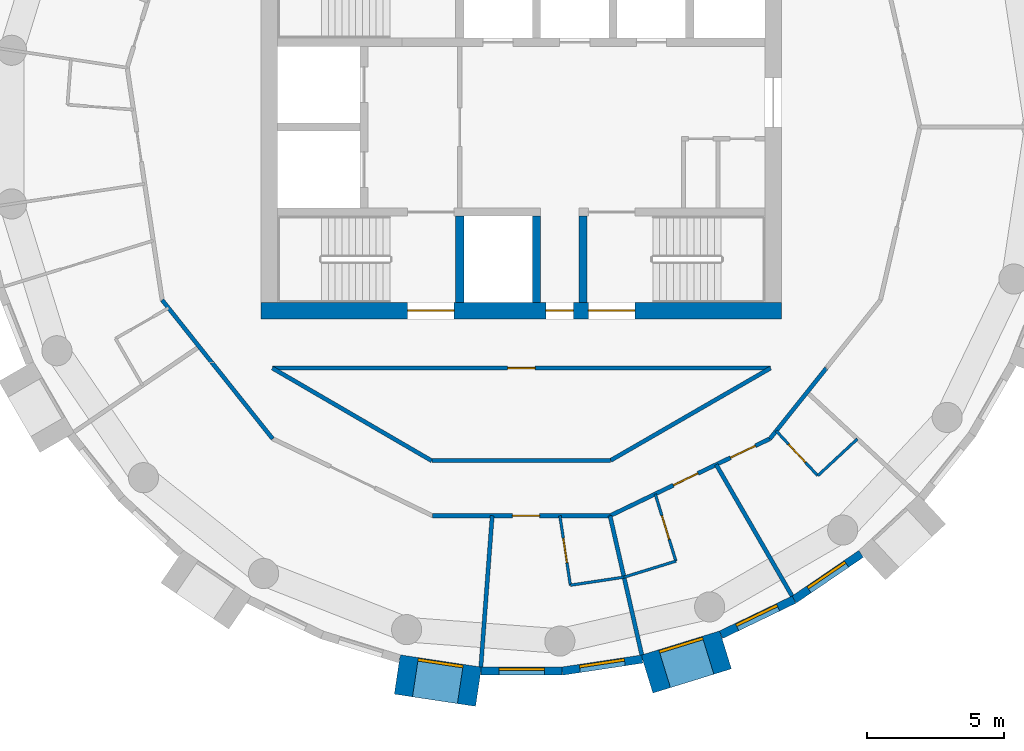
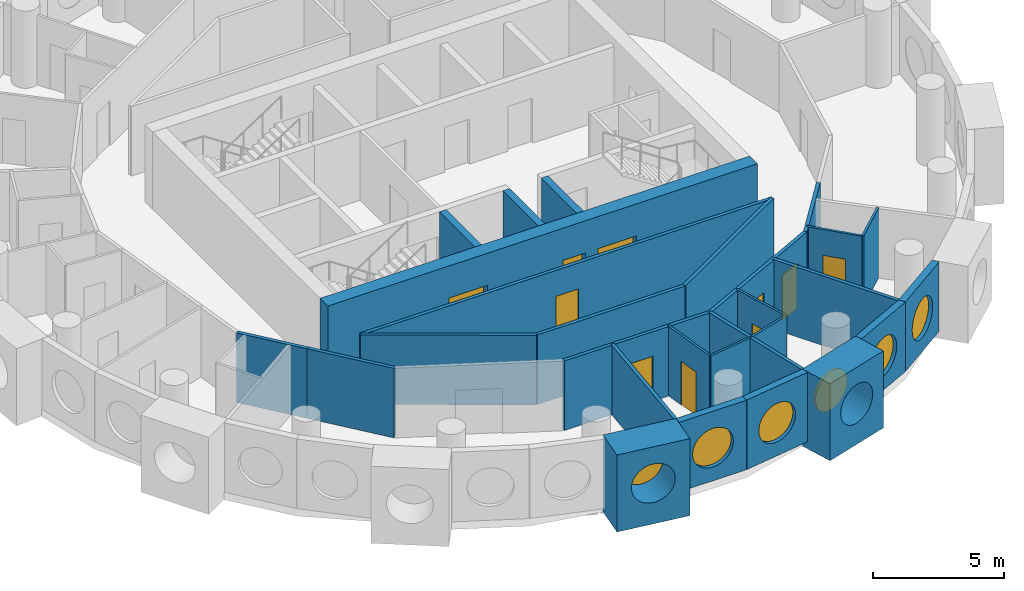
# One storey, part 3 of 11: 28 walls, 10 doors, 6 windows, 16 openings.
"""IFC4 building model written with IfcOpenShell, lengths in metres."""

from ifc_helpers import new_model, si_unit, direction, frame, frame_2d, origin, origin_2d, place, context, subcontext, project, spatial, rectangle, circle, extrude, material, layer, layer_set, type_object, element, fill, save


model = new_model("IFC4")

# Units and contexts
model_context = context("Model", 3, precision=1e-05, world=origin(), true_north=direction((0.0, 1.0)))
body_context = subcontext(model_context, "Body", "Model", "MODEL_VIEW")
ifc_project = project(units=[si_unit("LENGTHUNIT", "METRE"), si_unit("AREAUNIT", "SQUARE_METRE"), si_unit("VOLUMEUNIT", "CUBIC_METRE"), si_unit("PLANEANGLEUNIT", "RADIAN"), si_unit("MASSUNIT", "GRAM", prefix="KILO")], contexts=[model_context])

# Site, building, storey
site_placement = place(None, origin())
site = spatial("IfcSite", under=ifc_project, at=site_placement, CompositionType="ELEMENT")
building_placement = place(site_placement, origin())
building = spatial("IfcBuilding", under=site, at=building_placement, Name="Tracery Tower", CompositionType="ELEMENT")
storey_placement = place(building_placement, frame((0.0, 0.0, 263.39990234375)))
storey = spatial("IfcBuildingStorey", under=building, at=storey_placement, Name="L68", CompositionType="ELEMENT", Elevation=263.39990234375)

# Wall, openings, doors
ifc_material_1 = material(Name="Concrete C40/50", Category="concrete")
ifc_layer_1 = layer(ifc_material_1, 0.60009765625)
ifc_layer_set_1 = layer_set([ifc_layer_1], Name="Core wall 600 C40")
wall_type_1 = type_object("IfcWallType", Name="Core wall 600 C40", PredefinedType="SOLIDWALL", material=ifc_layer_set_1)
wall_1_placement = place(storey_placement, frame((-9.5, -6.699951171875, 0.0), z_axis=(0.0, 0.0, 1.0), x_axis=(1.0, 0.0, 0.0)))
wall_1 = element("IfcWall", 1, at=wall_1_placement, inside=storey, type_object=wall_type_1, Name="L68 outer S", PredefinedType="SOLIDWALL", context=body_context, shape_type="SweptSolid", body=[
    extrude(rectangle(XDim=19.0, YDim=0.60009765625, at=frame_2d((9.5, 0.0))), origin(), (0.0, 0.0, 1.0), 3.60009765625),
])
opening_1_placement = place(wall_1_placement, frame((10.39990234375, 0.0, 0.0)))
opening_1 = element("IfcOpeningElement", 2, at=opening_1_placement, cuts=wall_1, Name="Opening KD16", PredefinedType="OPENING", context=body_context, shape_type="SweptSolid", body=[
    extrude(rectangle(XDim=1.0, YDim=2.10009765625, at=frame_2d((0.5, 1.050048828125))), frame((0.0, 0.300048828125, 0.0), z_axis=(0.0, -1.0, 0.0), x_axis=(1.0, 0.0, 0.0)), (0.0, 0.0, 1.0), 0.60009765625),
])
opening_2_placement = place(wall_1_placement, frame((5.35009765625, 0.0, 0.0)))
opening_2 = element("IfcOpeningElement", 3, at=opening_2_placement, cuts=wall_1, Name="Opening KD3", PredefinedType="OPENING", context=body_context, shape_type="SweptSolid", body=[
    extrude(rectangle(XDim=1.699951171875, YDim=2.10009765625, at=frame_2d((0.85009765625, 1.050048828125))), frame((0.0, 0.300048828125, 0.0), z_axis=(0.0, -1.0, 0.0), x_axis=(1.0, 0.0, 0.0)), (0.0, 0.0, 1.0), 0.60009765625),
])
opening_3_placement = place(wall_1_placement, frame((11.949951171875, 0.0, 0.0)))
opening_3 = element("IfcOpeningElement", 4, at=opening_3_placement, cuts=wall_1, Name="Opening KD3", PredefinedType="OPENING", context=body_context, shape_type="SweptSolid", body=[
    extrude(rectangle(XDim=1.699951171875, YDim=2.10009765625, at=frame_2d((0.85009765625, 1.050048828125))), frame((0.0, 0.300048828125, 0.0), z_axis=(0.0, -1.0, 0.0), x_axis=(1.0, 0.0, 0.0)), (0.0, 0.0, 1.0), 0.60009765625),
])
ifc_material_2 = material(Name="Steel fire door", Category="steel")
door_type_1 = type_object("IfcDoorType", Name="Core exit door 1000", OperationType="NOTDEFINED", PredefinedType="DOOR", material=ifc_material_2)
door_1_placement = place(opening_1_placement, origin())
door_1 = element("IfcDoor", 5, at=door_1_placement, inside=storey, type_object=door_type_1, Name="Core exit door", OperationType="SINGLE_SWING_LEFT", OverallHeight=2.10009765625, OverallWidth=1.0, PredefinedType="DOOR", context=body_context, shape_type="SweptSolid", body=[
    extrude(rectangle(XDim=1.0, YDim=2.10009765625, at=frame_2d((0.5, 1.050048828125))), frame((0.0, 0.02490234375, 0.0), z_axis=(0.0, -1.0, 0.0), x_axis=(1.0, 0.0, 0.0)), (0.0, 0.0, 1.0), 0.050048828125),
])
fill(opening_1, door_1)
ifc_material_3 = material(Name="Steel fire door", Category="steel")
door_type_2 = type_object("IfcDoorType", Name="Core stair door 1700 double", OperationType="NOTDEFINED", PredefinedType="DOOR", material=ifc_material_3)
door_2_placement = place(opening_2_placement, origin())
door_2 = element("IfcDoor", 6, at=door_2_placement, inside=storey, type_object=door_type_2, Name="Stair door ST1 exit", OperationType="DOUBLE_DOOR_SINGLE_SWING", OverallHeight=2.10009765625, OverallWidth=1.699951171875, PredefinedType="DOOR", context=body_context, shape_type="SweptSolid", body=[
    extrude(rectangle(XDim=1.699951171875, YDim=2.10009765625, at=frame_2d((0.85009765625, 1.050048828125))), frame((0.0, 0.02490234375, 0.0), z_axis=(0.0, -1.0, 0.0), x_axis=(1.0, 0.0, 0.0)), (0.0, 0.0, 1.0), 0.050048828125),
])
fill(opening_2, door_2)
door_3_placement = place(opening_3_placement, origin())
door_3 = element("IfcDoor", 7, at=door_3_placement, inside=storey, type_object=door_type_2, Name="Stair door ST2 exit", OperationType="DOUBLE_DOOR_SINGLE_SWING", OverallHeight=2.10009765625, OverallWidth=1.699951171875, PredefinedType="DOOR", context=body_context, shape_type="SweptSolid", body=[
    extrude(rectangle(XDim=1.699951171875, YDim=2.10009765625, at=frame_2d((0.85009765625, 1.050048828125))), frame((0.0, 0.02490234375, 0.0), z_axis=(0.0, -1.0, 0.0), x_axis=(1.0, 0.0, 0.0)), (0.0, 0.0, 1.0), 0.050048828125),
])
fill(opening_3, door_3)

# Wall, opening, window
ifc_material_4 = material(Name="Precast concrete C50/60", Category="concrete")
ifc_layer_2 = layer(ifc_material_4, 1.449951171875)
ifc_layer_set_2 = layer_set([ifc_layer_2], Name="Deep-set bay unit 3000 x 3600, slab edge 350")
wall_type_2 = type_object("IfcWallType", Name="Deep-set bay unit 3000 x 3600, slab edge 350", PredefinedType="ELEMENTEDWALL", material=ifc_layer_set_2)
wall_2_placement = place(storey_placement, frame((-4.52978515625, -19.9892578125, -0.349853515625), z_axis=(0.0, 0.0, 1.0), x_axis=(0.988836445254, -0.149004981587, 0.0)))
wall_2 = element("IfcWall", 8, at=wall_2_placement, inside=storey, type_object=wall_type_2, Name="Deep-set bay unit 31 at L68", PredefinedType="ELEMENTEDWALL", context=body_context, shape_type="SweptSolid", body=[
    extrude(rectangle(XDim=3.0, YDim=1.449951171875, at=frame_2d((1.5, 0.0))), origin(), (0.0, 0.0, 1.0), 3.599853515625),
])
opening_4_placement = place(wall_2_placement, frame((1.5, 0.0, 1.89990234375)))
opening_4 = element("IfcOpeningElement", 9, at=opening_4_placement, cuts=wall_2, Name="Opening WN1", PredefinedType="OPENING", context=body_context, shape_type="SweptSolid", body=[
    extrude(circle(Radius=0.9000244140625, at=origin_2d()), frame((0.0, 0.73486328125, 0.0), z_axis=(0.0, -1.0, 0.0), x_axis=(1.0, 0.0, 0.0)), (0.0, 0.0, 1.0), 1.469970703125),
])
ifc_material_5 = material(Name="Aluminium frame with tinted double glazing", Category="aluminium")
window_type = type_object("IfcWindowType", Name="Round window 1800", PartitioningType="SINGLE_PANEL", PredefinedType="WINDOW", material=ifc_material_5)
window_1_placement = place(opening_4_placement, origin())
window_1 = element("IfcWindow", 10, at=window_1_placement, inside=storey, type_object=window_type, Name="Round window 31 at L68", OverallHeight=1.800048828125, OverallWidth=1.800048828125, PartitioningType="SINGLE_PANEL", PredefinedType="WINDOW", context=body_context, shape_type="SweptSolid", body=[
    extrude(circle(Radius=0.9000244140625, at=origin_2d()), frame((0.0, 0.69482421875, 0.0), z_axis=(0.0, -1.0, 0.0), x_axis=(1.0, 0.0, 0.0)), (0.0, 0.0, 1.0), 0.10009765625),
])
fill(opening_4, window_1)

wall_3_placement = place(storey_placement, frame((4.591796875, -19.97509765625, -0.349853515625), z_axis=(0.0, 0.0, 1.0), x_axis=(0.955571139978, 0.294760574774, 0.0)))
wall_3 = element("IfcWall", 11, at=wall_3_placement, inside=storey, type_object=wall_type_2, Name="Deep-set bay unit 34 at L68", PredefinedType="ELEMENTEDWALL", context=body_context, shape_type="SweptSolid", body=[
    extrude(rectangle(XDim=3.0, YDim=1.449951171875, at=frame_2d((1.5, 0.0))), origin(), (0.0, 0.0, 1.0), 3.599853515625),
])
opening_5_placement = place(wall_3_placement, frame((1.5, 0.0, 1.89990234375)))
opening_5 = element("IfcOpeningElement", 12, at=opening_5_placement, cuts=wall_3, Name="Opening WN1", PredefinedType="OPENING", context=body_context, shape_type="SweptSolid", body=[
    extrude(circle(Radius=0.9000244140625, at=origin_2d()), frame((0.0, 0.73486328125, 0.0), z_axis=(0.0, -1.0, 0.0), x_axis=(1.0, 0.0, 0.0)), (0.0, 0.0, 1.0), 1.469970703125),
])
window_2_placement = place(opening_5_placement, origin())
window_2 = element("IfcWindow", 13, at=window_2_placement, inside=storey, type_object=window_type, Name="Round window 34 at L68", OverallHeight=1.800048828125, OverallWidth=1.800048828125, PartitioningType="SINGLE_PANEL", PredefinedType="WINDOW", context=body_context, shape_type="SweptSolid", body=[
    extrude(circle(Radius=0.9000244140625, at=origin_2d()), frame((0.0, 0.69482421875, 0.0), z_axis=(0.0, -1.0, 0.0), x_axis=(1.0, 0.0, 0.0)), (0.0, 0.0, 1.0), 0.10009765625),
])
fill(opening_5, window_2)

ifc_material_6 = material(Name="Precast concrete C50/60", Category="concrete")
ifc_layer_3 = layer(ifc_material_6, 0.300048828125)
ifc_layer_set_3 = layer_set([ifc_layer_3], Name="Facade panel 3000 x 3250")
wall_type_3 = type_object("IfcWallType", Name="Facade panel 3000 x 3250", PredefinedType="SOLIDWALL", material=ifc_layer_set_3)
wall_4_placement = place(storey_placement, frame((-1.473388671875, -19.865966796875, 0.0), z_axis=(0.0, 0.0, 1.0), x_axis=(1.0, 0.0, 0.0)))
wall_4 = element("IfcWall", 14, at=wall_4_placement, inside=storey, type_object=wall_type_3, Name="Facade panel 32 at L68", PredefinedType="SOLIDWALL", context=body_context, shape_type="SweptSolid", body=[
    extrude(rectangle(XDim=2.962158203125, YDim=0.300048828125, at=frame_2d((1.48095703125, 0.0))), origin(), (0.0, 0.0, 1.0), 3.25),
])
opening_6_placement = place(wall_4_placement, frame((1.48095703125, 0.0, 1.5498046875)))
opening_6 = element("IfcOpeningElement", 15, at=opening_6_placement, cuts=wall_4, Name="Opening WN1", PredefinedType="OPENING", context=body_context, shape_type="SweptSolid", body=[
    extrude(circle(Radius=0.9000244140625, at=origin_2d()), frame((0.0, 0.159912109375, 0.0), z_axis=(0.0, -1.0, 0.0), x_axis=(1.0, 0.0, 0.0)), (0.0, 0.0, 1.0), 0.320068359375),
])
window_3_placement = place(opening_6_placement, origin())
window_3 = element("IfcWindow", 16, at=window_3_placement, inside=storey, type_object=window_type, Name="Round window 32 at L68", OverallHeight=1.800048828125, OverallWidth=1.800048828125, PartitioningType="SINGLE_PANEL", PredefinedType="WINDOW", context=body_context, shape_type="SweptSolid", body=[
    extrude(circle(Radius=0.9000244140625, at=origin_2d()), frame((0.0, 0.1201171875, 0.0), z_axis=(0.0, -1.0, 0.0), x_axis=(1.0, 0.0, 0.0)), (0.0, 0.0, 1.0), 0.10009765625),
])
fill(opening_6, window_3)

wall_5_placement = place(storey_placement, frame((1.48876953125, -19.865966796875, 0.0), z_axis=(0.0, 0.0, 1.0), x_axis=(0.988835775663, 0.149009425104, 0.0)))
wall_5 = element("IfcWall", 17, at=wall_5_placement, inside=storey, type_object=wall_type_3, Name="Facade panel 33 at L68", PredefinedType="SOLIDWALL", context=body_context, shape_type="SweptSolid", body=[
    extrude(rectangle(XDim=2.962158203125, YDim=0.300048828125, at=frame_2d((1.48095703125, 0.0))), origin(), (0.0, 0.0, 1.0), 3.25),
])
opening_7_placement = place(wall_5_placement, frame((1.48095703125, 0.0, 1.5498046875)))
opening_7 = element("IfcOpeningElement", 18, at=opening_7_placement, cuts=wall_5, Name="Opening WN1", PredefinedType="OPENING", context=body_context, shape_type="SweptSolid", body=[
    extrude(circle(Radius=0.9000244140625, at=origin_2d()), frame((0.0, 0.159912109375, 0.0), z_axis=(0.0, -1.0, 0.0), x_axis=(1.0, 0.0, 0.0)), (0.0, 0.0, 1.0), 0.320068359375),
])
window_4_placement = place(opening_7_placement, origin())
window_4 = element("IfcWindow", 19, at=window_4_placement, inside=storey, type_object=window_type, Name="Round window 33 at L68", OverallHeight=1.800048828125, OverallWidth=1.800048828125, PartitioningType="SINGLE_PANEL", PredefinedType="WINDOW", context=body_context, shape_type="SweptSolid", body=[
    extrude(circle(Radius=0.9000244140625, at=origin_2d()), frame((0.0, 0.1201171875, 0.0), z_axis=(0.0, -1.0, 0.0), x_axis=(1.0, 0.0, 0.0)), (0.0, 0.0, 1.0), 0.10009765625),
])
fill(opening_7, window_4)

wall_6_placement = place(storey_placement, frame((7.2919921875, -18.5380859375, 0.0), z_axis=(0.0, 0.0, 1.0), x_axis=(0.90095513435, 0.433912255978, 0.0)))
wall_6 = element("IfcWall", 20, at=wall_6_placement, inside=storey, type_object=wall_type_3, Name="Facade panel 35 at L68", PredefinedType="SOLIDWALL", context=body_context, shape_type="SweptSolid", body=[
    extrude(rectangle(XDim=2.96240234375, YDim=0.300048828125, at=frame_2d((1.481201171875, 0.0))), origin(), (0.0, 0.0, 1.0), 3.25),
])
opening_8_placement = place(wall_6_placement, frame((1.48095703125, 0.0, 1.5498046875)))
opening_8 = element("IfcOpeningElement", 21, at=opening_8_placement, cuts=wall_6, Name="Opening WN1", PredefinedType="OPENING", context=body_context, shape_type="SweptSolid", body=[
    extrude(circle(Radius=0.9000244140625, at=origin_2d()), frame((0.0, 0.159912109375, 0.0), z_axis=(0.0, -1.0, 0.0), x_axis=(1.0, 0.0, 0.0)), (0.0, 0.0, 1.0), 0.320068359375),
])
window_5_placement = place(opening_8_placement, origin())
window_5 = element("IfcWindow", 22, at=window_5_placement, inside=storey, type_object=window_type, Name="Round window 35 at L68", OverallHeight=1.800048828125, OverallWidth=1.800048828125, PartitioningType="SINGLE_PANEL", PredefinedType="WINDOW", context=body_context, shape_type="SweptSolid", body=[
    extrude(circle(Radius=0.9000244140625, at=origin_2d()), frame((0.0, 0.1201171875, 0.0), z_axis=(0.0, -1.0, 0.0), x_axis=(1.0, 0.0, 0.0)), (0.0, 0.0, 1.0), 0.10009765625),
])
fill(opening_8, window_5)

wall_7_placement = place(storey_placement, frame((9.9609375, -17.252685546875, 0.0), z_axis=(0.0, 0.0, 1.0), x_axis=(0.826236061068, 0.563324037646, 0.0)))
wall_7 = element("IfcWall", 23, at=wall_7_placement, inside=storey, type_object=wall_type_3, Name="Facade panel 36 at L68", PredefinedType="SOLIDWALL", context=body_context, shape_type="SweptSolid", body=[
    extrude(rectangle(XDim=2.962158203125, YDim=0.300048828125, at=frame_2d((1.48095703125, 0.0))), origin(), (0.0, 0.0, 1.0), 3.25),
])
opening_9_placement = place(wall_7_placement, frame((1.48095703125, 0.0, 1.5498046875)))
opening_9 = element("IfcOpeningElement", 24, at=opening_9_placement, cuts=wall_7, Name="Opening WN1", PredefinedType="OPENING", context=body_context, shape_type="SweptSolid", body=[
    extrude(circle(Radius=0.9000244140625, at=origin_2d()), frame((0.0, 0.159912109375, 0.0), z_axis=(0.0, -1.0, 0.0), x_axis=(1.0, 0.0, 0.0)), (0.0, 0.0, 1.0), 0.320068359375),
])
window_6_placement = place(opening_9_placement, origin())
window_6 = element("IfcWindow", 25, at=window_6_placement, inside=storey, type_object=window_type, Name="Round window 36 at L68", OverallHeight=1.800048828125, OverallWidth=1.800048828125, PartitioningType="SINGLE_PANEL", PredefinedType="WINDOW", context=body_context, shape_type="SweptSolid", body=[
    extrude(circle(Radius=0.9000244140625, at=origin_2d()), frame((0.0, 0.1201171875, 0.0), z_axis=(0.0, -1.0, 0.0), x_axis=(1.0, 0.0, 0.0)), (0.0, 0.0, 1.0), 0.10009765625),
])
fill(opening_9, window_6)

# Wall, opening, door
ifc_material_7 = material(Name="Plasterboard on steel studs", Category="steel")
ifc_layer_4 = layer(ifc_material_7, 0.10009765625)
ifc_layer_set_4 = layer_set([ifc_layer_4], Name="Partition 100 wet wall")
wall_type_4 = type_object("IfcWallType", Name="Partition 100 wet wall", PredefinedType="PARTITIONING", material=ifc_layer_set_4)
wall_8_placement = place(storey_placement, frame((1.407958984375, -14.19189453125, 0.0), z_axis=(0.0, 0.0, 1.0), x_axis=(0.149289553133, -0.988793522089, 0.0)))
wall_8 = element("IfcWall", 26, at=wall_8_placement, inside=storey, type_object=wall_type_4, Name="Wet wall RC4-065", PredefinedType="PARTITIONING", context=body_context, shape_type="SweptSolid", body=[
    extrude(rectangle(XDim=2.56591796875, YDim=0.10009765625, at=frame_2d((1.282958984375, 0.0))), origin(), (0.0, 0.0, 1.0), 3.25),
])
opening_10_placement = place(wall_8_placement, frame((0.8330078125, 0.0, 0.0)))
opening_10 = element("IfcOpeningElement", 27, at=opening_10_placement, cuts=wall_8, Name="Opening RC4-21", PredefinedType="OPENING", context=body_context, shape_type="SweptSolid", body=[
    extrude(rectangle(XDim=0.89990234375, YDim=2.0400390625, at=frame_2d((0.449951171875, 1.02001953125))), frame((0.0, 0.050048828125, 0.0), z_axis=(0.0, -1.0, 0.0), x_axis=(1.0, 0.0, 0.0)), (0.0, 0.0, 1.0), 0.10009765625),
])
ifc_material_8 = material(Name="Timber door leaf", Category="wood")
door_type_3 = type_object("IfcDoorType", Name="Door en-suite 900", OperationType="NOTDEFINED", PredefinedType="DOOR", material=ifc_material_8)
door_4_placement = place(opening_10_placement, origin())
door_4 = element("IfcDoor", 28, at=door_4_placement, inside=storey, type_object=door_type_3, Name="En-suite door RC4-21", OperationType="SINGLE_SWING_RIGHT", OverallHeight=2.0400390625, OverallWidth=0.89990234375, PredefinedType="DOOR", context=body_context, shape_type="SweptSolid", body=[
    extrude(rectangle(XDim=0.89990234375, YDim=2.0400390625, at=frame_2d((0.449951171875, 1.02001953125))), frame((0.0, 0.02490234375, 0.0), z_axis=(0.0, -1.0, 0.0), x_axis=(1.0, 0.0, 0.0)), (0.0, 0.0, 1.0), 0.050048828125),
])
fill(opening_10, door_4)

# Walls
wall_9_placement = place(storey_placement, frame((1.791015625, -16.72900390625, 0.0), z_axis=(0.0, 0.0, 1.0), x_axis=(0.988867580828, 0.148798210967, 0.0)))
element("IfcWall", 29, at=wall_9_placement, inside=storey, type_object=wall_type_4, Name="Wet wall RC4-066", PredefinedType="PARTITIONING", context=body_context, shape_type="SweptSolid", body=[
    extrude(rectangle(XDim=1.98193359375, YDim=0.10009765625, at=frame_2d((0.990966796875, 0.0))), origin(), (0.0, 0.0, 1.0), 3.25),
])
wall_10_placement = place(storey_placement, frame((3.7509765625, -16.43408203125, 0.0), z_axis=(0.0, 0.0, 1.0), x_axis=(0.955469584731, 0.295089601059, 0.0)))
element("IfcWall", 30, at=wall_10_placement, inside=storey, type_object=wall_type_4, Name="Wet wall RC4-068", PredefinedType="PARTITIONING", context=body_context, shape_type="SweptSolid", body=[
    extrude(rectangle(XDim=1.982421875, YDim=0.10009765625, at=frame_2d((0.9912109375, 0.0))), origin(), (0.0, 0.0, 1.0), 3.25),
])

# Wall, opening, door
wall_11_placement = place(storey_placement, frame((4.888916015625, -13.39697265625, 0.0), z_axis=(0.0, 0.0, 1.0), x_axis=(0.294654076104, -0.955603984627, 0.0)))
wall_11 = element("IfcWall", 31, at=wall_11_placement, inside=storey, type_object=wall_type_4, Name="Wet wall RC4-069", PredefinedType="PARTITIONING", context=body_context, shape_type="SweptSolid", body=[
    extrude(rectangle(XDim=2.566162109375, YDim=0.10009765625, at=frame_2d((1.283203125, 0.0))), origin(), (0.0, 0.0, 1.0), 3.25),
])
opening_11_placement = place(wall_11_placement, frame((0.8330078125, 0.0, 0.0)))
opening_11 = element("IfcOpeningElement", 32, at=opening_11_placement, cuts=wall_11, Name="Opening RC4-23", PredefinedType="OPENING", context=body_context, shape_type="SweptSolid", body=[
    extrude(rectangle(XDim=0.89990234375, YDim=2.0400390625, at=frame_2d((0.449951171875, 1.02001953125))), frame((0.0, 0.050048828125, 0.0), z_axis=(0.0, -1.0, 0.0), x_axis=(1.0, 0.0, 0.0)), (0.0, 0.0, 1.0), 0.10009765625),
])
door_5_placement = place(opening_11_placement, origin())
door_5 = element("IfcDoor", 33, at=door_5_placement, inside=storey, type_object=door_type_3, Name="En-suite door RC4-23", OperationType="SINGLE_SWING_RIGHT", OverallHeight=2.0400390625, OverallWidth=0.89990234375, PredefinedType="DOOR", context=body_context, shape_type="SweptSolid", body=[
    extrude(rectangle(XDim=0.89990234375, YDim=2.0400390625, at=frame_2d((0.449951171875, 1.02001953125))), frame((0.0, 0.02490234375, 0.0), z_axis=(0.0, -1.0, 0.0), x_axis=(1.0, 0.0, 0.0)), (0.0, 0.0, 1.0), 0.050048828125),
])
fill(opening_11, door_5)

wall_12_placement = place(storey_placement, frame((9.305908203125, -11.092041015625, 0.0), z_axis=(0.0, 0.0, 1.0), x_axis=(0.680228963773, -0.732999697711, 0.0)))
wall_12 = element("IfcWall", 34, at=wall_12_placement, inside=storey, type_object=wall_type_4, Name="Wet wall RC4-071", PredefinedType="PARTITIONING", context=body_context, shape_type="SweptSolid", body=[
    extrude(rectangle(XDim=2.234619140625, YDim=0.10009765625, at=frame_2d((1.1171875, 0.0))), origin(), (0.0, 0.0, 1.0), 3.25),
])
opening_12_placement = place(wall_12_placement, frame((0.6669921875, 0.0, 0.0)))
opening_12 = element("IfcOpeningElement", 35, at=opening_12_placement, cuts=wall_12, Name="Opening RC4-25", PredefinedType="OPENING", context=body_context, shape_type="SweptSolid", body=[
    extrude(rectangle(XDim=0.89990234375, YDim=2.0400390625, at=frame_2d((0.449951171875, 1.02001953125))), frame((0.0, 0.050048828125, 0.0), z_axis=(0.0, -1.0, 0.0), x_axis=(1.0, 0.0, 0.0)), (0.0, 0.0, 1.0), 0.10009765625),
])
door_6_placement = place(opening_12_placement, origin())
door_6 = element("IfcDoor", 36, at=door_6_placement, inside=storey, type_object=door_type_3, Name="En-suite door RC4-25", OperationType="SINGLE_SWING_LEFT", OverallHeight=2.0400390625, OverallWidth=0.89990234375, PredefinedType="DOOR", context=body_context, shape_type="SweptSolid", body=[
    extrude(rectangle(XDim=0.89990234375, YDim=2.0400390625, at=frame_2d((0.449951171875, 1.02001953125))), frame((0.0, 0.02490234375, 0.0), z_axis=(0.0, -1.0, 0.0), x_axis=(1.0, 0.0, 0.0)), (0.0, 0.0, 1.0), 0.050048828125),
])
fill(opening_12, door_6)

# Walls
wall_13_placement = place(storey_placement, frame((10.825927734375, -12.72998046875, 0.0), z_axis=(0.0, 0.0, 1.0), x_axis=(0.732956436026, 0.680275578636, 0.0)))
element("IfcWall", 37, at=wall_13_placement, inside=storey, type_object=wall_type_4, Name="Wet wall RC4-072", PredefinedType="PARTITIONING", context=body_context, shape_type="SweptSolid", body=[
    extrude(rectangle(XDim=1.97412109375, YDim=0.10009765625, at=frame_2d((0.987060546875, 0.0))), origin(), (0.0, 0.0, 1.0), 3.25),
])
ifc_material_9 = material(Name="Plasterboard on steel studs", Category="steel")
ifc_layer_5 = layer(ifc_material_9, 0.14990234375)
ifc_layer_set_5 = layer_set([ifc_layer_5], Name="Partition 150 acoustic unit wall")
wall_type_5 = type_object("IfcWallType", Name="Partition 150 acoustic unit wall", PredefinedType="PARTITIONING", material=ifc_layer_set_5)
wall_14_placement = place(storey_placement, frame((-1.47802734375, -19.716064453125, 0.0), z_axis=(0.0, 0.0, 1.0), x_axis=(0.074745027699, 0.997202677912, 0.0)))
element("IfcWall", 38, at=wall_14_placement, inside=storey, type_object=wall_type_5, Name="Unit wall RC4-064", PredefinedType="PARTITIONING", context=body_context, shape_type="SweptSolid", body=[
    extrude(rectangle(XDim=5.53955078125, YDim=0.14990234375, at=frame_2d((2.769775390625, 0.0))), origin(), (0.0, 0.0, 1.0), 3.25),
])
wall_15_placement = place(storey_placement, frame((3.239013671875, -14.19189453125, 0.0), z_axis=(0.0, 0.0, 1.0), x_axis=(0.222612505682, -0.974907007008, 0.0)))
element("IfcWall", 39, at=wall_15_placement, inside=storey, type_object=wall_type_5, Name="Unit wall RC4-067", PredefinedType="PARTITIONING", context=body_context, shape_type="SweptSolid", body=[
    extrude(rectangle(XDim=5.21484375, YDim=0.14990234375, at=frame_2d((2.607421875, 0.0))), origin(), (0.0, 0.0, 1.0), 3.25),
])
wall_16_placement = place(storey_placement, frame((7.115966796875, -12.324951171875, 0.0), z_axis=(0.0, 0.0, 1.0), x_axis=(0.500054359786, -0.865994016873, 0.0)))
element("IfcWall", 40, at=wall_16_placement, inside=storey, type_object=wall_type_5, Name="Unit wall RC4-070", PredefinedType="PARTITIONING", context=body_context, shape_type="SweptSolid", body=[
    extrude(rectangle(XDim=5.53955078125, YDim=0.14990234375, at=frame_2d((2.769775390625, 0.0))), origin(), (0.0, 0.0, 1.0), 3.25),
])

# Wall, opening, door
ifc_material_10 = material(Name="Plasterboard on steel studs", Category="steel")
ifc_layer_6 = layer(ifc_material_10, 0.14990234375)
ifc_layer_set_6 = layer_set([ifc_layer_6], Name="Partition 150 corridor wall")
wall_type_6 = type_object("IfcWallType", Name="Partition 150 corridor wall", PredefinedType="PARTITIONING", material=ifc_layer_set_6)
wall_17_placement = place(storey_placement, frame((-9.092041015625, -8.800048828125, 0.0), z_axis=(0.0, 0.0, 1.0), x_axis=(1.0, 0.0, 0.0)))
wall_17 = element("IfcWall", 41, at=wall_17_placement, inside=storey, type_object=wall_type_6, Name="Corridor wall RC4-008", PredefinedType="PARTITIONING", context=body_context, shape_type="SweptSolid", body=[
    extrude(rectangle(XDim=18.192626953125, YDim=0.14990234375, at=frame_2d((9.09619140625, 0.0))), origin(), (0.0, 0.0, 1.0), 3.25),
])
opening_13_placement = place(wall_17_placement, frame((8.592041015625, 0.0, 0.0)))
opening_13 = element("IfcOpeningElement", 42, at=opening_13_placement, cuts=wall_17, Name="Opening RC4-03", PredefinedType="OPENING", context=body_context, shape_type="SweptSolid", body=[
    extrude(rectangle(XDim=1.0, YDim=2.0400390625, at=frame_2d((0.5, 1.02001953125))), frame((0.0, 0.074951171875, 0.0), z_axis=(0.0, -1.0, 0.0), x_axis=(1.0, 0.0, 0.0)), (0.0, 0.0, 1.0), 0.14990234375),
])
ifc_material_11 = material(Name="Timber door leaf", Category="wood")
door_type_4 = type_object("IfcDoorType", Name="Door communal room 1000", OperationType="NOTDEFINED", PredefinedType="DOOR", material=ifc_material_11)
door_7_placement = place(opening_13_placement, origin())
door_7 = element("IfcDoor", 43, at=door_7_placement, inside=storey, type_object=door_type_4, Name="Communal room door RC4-03", OperationType="SINGLE_SWING_RIGHT", OverallHeight=2.0400390625, OverallWidth=1.0, PredefinedType="DOOR", context=body_context, shape_type="SweptSolid", body=[
    extrude(rectangle(XDim=1.0, YDim=2.0400390625, at=frame_2d((0.5, 1.02001953125))), frame((0.0, 0.02490234375, 0.0), z_axis=(0.0, -1.0, 0.0), x_axis=(1.0, 0.0, 0.0)), (0.0, 0.0, 1.0), 0.050048828125),
])
fill(opening_13, door_7)

# Walls
wall_18_placement = place(storey_placement, frame((-9.092041015625, -8.800048828125, 0.0), z_axis=(0.0, 0.0, 1.0), x_axis=(0.864470922103, -0.502682827277, 0.0)))
element("IfcWall", 44, at=wall_18_placement, inside=storey, type_object=wall_type_6, Name="Corridor wall RC4-009", PredefinedType="PARTITIONING", context=body_context, shape_type="SweptSolid", body=[
    extrude(rectangle(XDim=6.7353515625, YDim=0.14990234375, at=frame_2d((3.36767578125, 0.0))), origin(), (0.0, 0.0, 1.0), 3.25),
])
wall_19_placement = place(storey_placement, frame((-11.300048828125, -8.59619140625, 0.0), z_axis=(0.0, 0.0, 1.0), x_axis=(0.623165080354, -0.782090328944, 0.0)))
element("IfcWall", 45, at=wall_19_placement, inside=storey, type_object=wall_type_6, Name="Corridor wall RC4-010", PredefinedType="PARTITIONING", context=body_context, shape_type="SweptSolid", body=[
    extrude(rectangle(XDim=3.56396484375, YDim=0.14990234375, at=frame_2d((1.781982421875, 0.0))), origin(), (0.0, 0.0, 1.0), 3.25),
])
wall_20_placement = place(storey_placement, frame((9.07763671875, -11.38232421875, 0.0), z_axis=(0.0, 0.0, 1.0), x_axis=(0.624018330412, 0.781409702595, 0.0)))
element("IfcWall", 46, at=wall_20_placement, inside=storey, type_object=wall_type_6, Name="Corridor wall RC4-013", PredefinedType="PARTITIONING", context=body_context, shape_type="SweptSolid", body=[
    extrude(rectangle(XDim=3.30078125, YDim=0.14990234375, at=frame_2d((1.650390625, 0.0))), origin(), (0.0, 0.0, 1.0), 3.25),
])
wall_21_placement = place(storey_placement, frame((-13.114990234375, -6.31591796875, 0.0), z_axis=(0.0, 0.0, 1.0), x_axis=(0.622042479172, -0.782983495423, 0.0)))
element("IfcWall", 47, at=wall_21_placement, inside=storey, type_object=wall_type_6, Name="Corridor wall RC4-033", PredefinedType="PARTITIONING", context=body_context, shape_type="SweptSolid", body=[
    extrude(rectangle(XDim=2.9111328125, YDim=0.14990234375, at=frame_2d((1.45556640625, 0.0))), origin(), (0.0, 0.0, 1.0), 3.25),
])
wall_22_placement = place(storey_placement, frame((-3.260986328125, -12.1708984375, 0.0), z_axis=(0.0, 0.0, 1.0), x_axis=(1.0, 0.0, 0.0)))
element("IfcWall", 48, at=wall_22_placement, inside=storey, type_object=wall_type_6, Name="Corridor wall RC4-034", PredefinedType="PARTITIONING", context=body_context, shape_type="SweptSolid", body=[
    extrude(rectangle(XDim=6.52197265625, YDim=0.14990234375, at=frame_2d((3.260986328125, 0.0))), origin(), (0.0, 0.0, 1.0), 3.25),
])
wall_23_placement = place(storey_placement, frame((3.260986328125, -12.1708984375, 0.0), z_axis=(0.0, 0.0, 1.0), x_axis=(0.866066809554, 0.499928276245, 0.0)))
element("IfcWall", 49, at=wall_23_placement, inside=storey, type_object=wall_type_6, Name="Corridor wall RC4-035", PredefinedType="PARTITIONING", context=body_context, shape_type="SweptSolid", body=[
    extrude(rectangle(XDim=6.74267578125, YDim=0.14990234375, at=frame_2d((3.371337890625, 0.0))), origin(), (0.0, 0.0, 1.0), 3.25),
])

# Wall, opening, door
wall_24_placement = place(storey_placement, frame((-3.239013671875, -14.19189453125, 0.0), z_axis=(0.0, 0.0, 1.0), x_axis=(1.0, 0.0, 0.0)))
wall_24 = element("IfcWall", 50, at=wall_24_placement, inside=storey, type_object=wall_type_6, Name="Corridor wall RC4-036", PredefinedType="PARTITIONING", context=body_context, shape_type="SweptSolid", body=[
    extrude(rectangle(XDim=6.47802734375, YDim=0.14990234375, at=frame_2d((3.239013671875, 0.0))), origin(), (0.0, 0.0, 1.0), 3.25),
])
opening_14_placement = place(wall_24_placement, frame((2.910888671875, 0.0, 0.0)))
opening_14 = element("IfcOpeningElement", 51, at=opening_14_placement, cuts=wall_24, Name="Opening RC4-22", PredefinedType="OPENING", context=body_context, shape_type="SweptSolid", body=[
    extrude(rectangle(XDim=1.0, YDim=2.10009765625, at=frame_2d((0.5, 1.050048828125))), frame((0.0, 0.074951171875, 0.0), z_axis=(0.0, -1.0, 0.0), x_axis=(1.0, 0.0, 0.0)), (0.0, 0.0, 1.0), 0.14990234375),
])
ifc_material_12 = material(Name="Timber door leaf", Category="wood")
door_type_5 = type_object("IfcDoorType", Name="Door unit entrance 1000", OperationType="NOTDEFINED", PredefinedType="DOOR", material=ifc_material_12)
door_8_placement = place(opening_14_placement, origin())
door_8 = element("IfcDoor", 52, at=door_8_placement, inside=storey, type_object=door_type_5, Name="Unit entrance door RC4-22", OperationType="SINGLE_SWING_RIGHT", OverallHeight=2.10009765625, OverallWidth=1.0, PredefinedType="DOOR", context=body_context, shape_type="SweptSolid", body=[
    extrude(rectangle(XDim=1.0, YDim=2.10009765625, at=frame_2d((0.5, 1.050048828125))), frame((0.0, 0.02490234375, 0.0), z_axis=(0.0, -1.0, 0.0), x_axis=(1.0, 0.0, 0.0)), (0.0, 0.0, 1.0), 0.050048828125),
])
fill(opening_14, door_8)

# Wall, openings, doors
wall_25_placement = place(storey_placement, frame((3.239013671875, -14.19189453125, 0.0), z_axis=(0.0, 0.0, 1.0), x_axis=(0.900939467372, 0.433944784657, 0.0)))
wall_25 = element("IfcWall", 53, at=wall_25_placement, inside=storey, type_object=wall_type_6, Name="Corridor wall RC4-038", PredefinedType="PARTITIONING", context=body_context, shape_type="SweptSolid", body=[
    extrude(rectangle(XDim=6.478515625, YDim=0.14990234375, at=frame_2d((3.2392578125, 0.0))), origin(), (0.0, 0.0, 1.0), 3.25),
])
opening_15_placement = place(wall_25_placement, frame((2.566650390625, 0.0, 0.0)))
opening_15 = element("IfcOpeningElement", 54, at=opening_15_placement, cuts=wall_25, Name="Opening RC4-24", PredefinedType="OPENING", context=body_context, shape_type="SweptSolid", body=[
    extrude(rectangle(XDim=1.0, YDim=2.10009765625, at=frame_2d((0.5, 1.050048828125))), frame((0.0, 0.074951171875, 0.0), z_axis=(0.0, -1.0, 0.0), x_axis=(1.0, 0.0, 0.0)), (0.0, 0.0, 1.0), 0.14990234375),
])
opening_16_placement = place(wall_25_placement, frame((4.888671875, 0.0, 0.0)))
opening_16 = element("IfcOpeningElement", 55, at=opening_16_placement, cuts=wall_25, Name="Opening RC4-26", PredefinedType="OPENING", context=body_context, shape_type="SweptSolid", body=[
    extrude(rectangle(XDim=1.0, YDim=2.10009765625, at=frame_2d((0.5, 1.050048828125))), frame((0.0, 0.074951171875, 0.0), z_axis=(0.0, -1.0, 0.0), x_axis=(1.0, 0.0, 0.0)), (0.0, 0.0, 1.0), 0.14990234375),
])
door_9_placement = place(opening_15_placement, origin())
door_9 = element("IfcDoor", 56, at=door_9_placement, inside=storey, type_object=door_type_5, Name="Unit entrance door RC4-24", OperationType="SINGLE_SWING_RIGHT", OverallHeight=2.10009765625, OverallWidth=1.0, PredefinedType="DOOR", context=body_context, shape_type="SweptSolid", body=[
    extrude(rectangle(XDim=1.0, YDim=2.10009765625, at=frame_2d((0.5, 1.050048828125))), frame((0.0, 0.02490234375, 0.0), z_axis=(0.0, -1.0, 0.0), x_axis=(1.0, 0.0, 0.0)), (0.0, 0.0, 1.0), 0.050048828125),
])
fill(opening_15, door_9)
door_10_placement = place(opening_16_placement, origin())
door_10 = element("IfcDoor", 57, at=door_10_placement, inside=storey, type_object=door_type_5, Name="Unit entrance door RC4-26", OperationType="SINGLE_SWING_RIGHT", OverallHeight=2.10009765625, OverallWidth=1.0, PredefinedType="DOOR", context=body_context, shape_type="SweptSolid", body=[
    extrude(rectangle(XDim=1.0, YDim=2.10009765625, at=frame_2d((0.5, 1.050048828125))), frame((0.0, 0.02490234375, 0.0), z_axis=(0.0, -1.0, 0.0), x_axis=(1.0, 0.0, 0.0)), (0.0, 0.0, 1.0), 0.050048828125),
])
fill(opening_16, door_10)

# Walls
ifc_material_13 = material(Name="Concrete C40/50", Category="concrete")
ifc_layer_7 = layer(ifc_material_13, 0.300048828125)
ifc_layer_set_7 = layer_set([ifc_layer_7], Name="Shaft wall 300 C40")
wall_type_7 = type_object("IfcWallType", Name="Shaft wall 300 C40", PredefinedType="SOLIDWALL", material=ifc_layer_set_7)
wall_26_placement = place(storey_placement, frame((0.550048828125, -6.39990234375, 0.0), z_axis=(0.0, 0.0, 1.0), x_axis=(0.0, 1.0, 0.0)))
element("IfcWall", 58, at=wall_26_placement, inside=storey, type_object=wall_type_7, Name="L68 OB2 E", PredefinedType="SOLIDWALL", context=body_context, shape_type="SweptSolid", body=[
    extrude(rectangle(XDim=3.14990234375, YDim=0.300048828125, at=frame_2d((1.574951171875, 0.0))), origin(), (0.0, 0.0, 1.0), 3.25),
])
ifc_material_14 = material(Name="Concrete C40/50", Category="concrete")
ifc_layer_8 = layer(ifc_material_14, 0.300048828125)
ifc_layer_set_8 = layer_set([ifc_layer_8], Name="Stair wall 300 C40")
wall_type_8 = type_object("IfcWallType", Name="Stair wall 300 C40", PredefinedType="SOLIDWALL", material=ifc_layer_set_8)
for number, where, z_axis, x_axis, name in (
    (59, (-2.25, -6.39990234375, 0.0), (0.0, 0.0, 1.0), (0.0, 1.0, 0.0), "L68 ST1 E"),
    (60, (2.25, -6.39990234375, 0.0), (0.0, 0.0, 1.0), (0.0, 1.0, 0.0), "L68 ST2 W"),
):
    element("IfcWall", number, at=place(storey_placement, frame(where, z_axis=z_axis, x_axis=x_axis)), inside=storey, type_object=wall_type_8, Name=name, PredefinedType="SOLIDWALL", context=body_context, shape_type="SweptSolid", body=[
        extrude(rectangle(XDim=3.14990234375, YDim=0.300048828125, at=frame_2d((1.574951171875, 0.0))), origin(), (0.0, 0.0, 1.0), 3.25),
    ])

save(model, "model.ifc")
